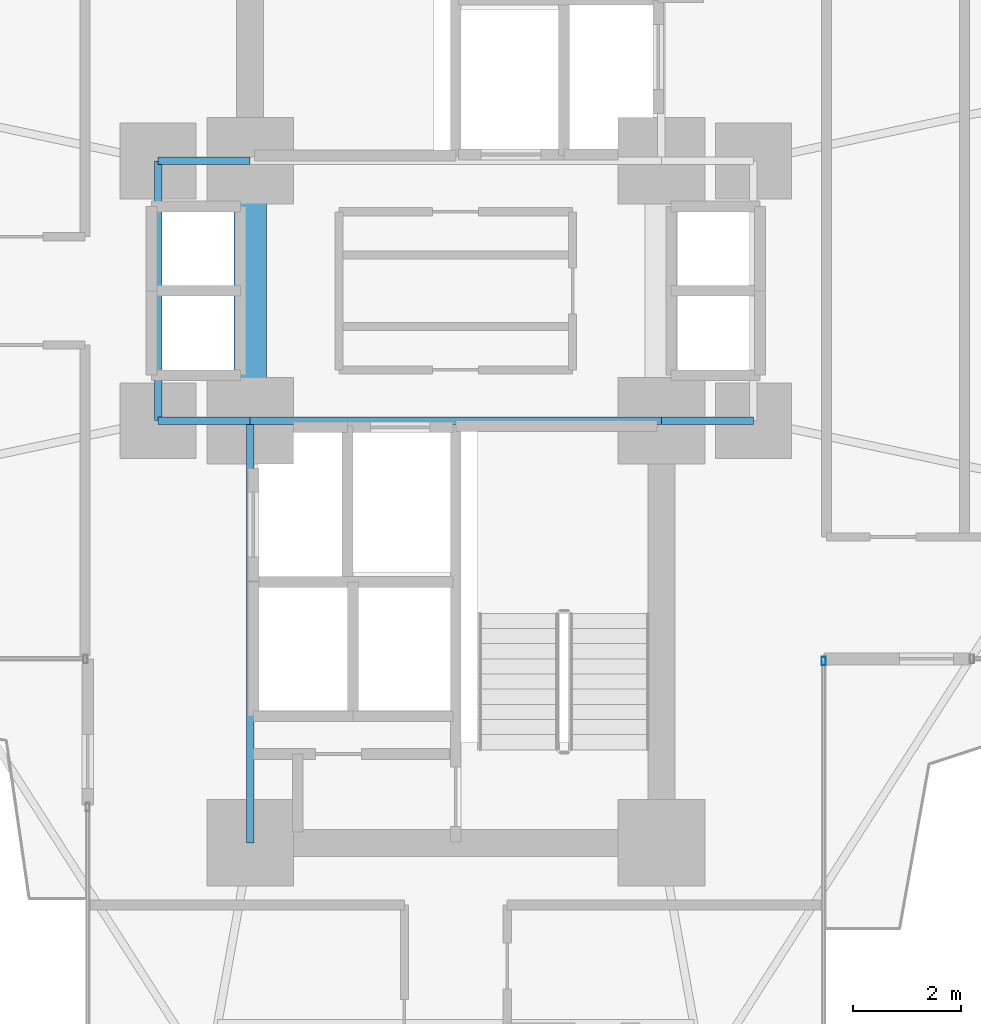
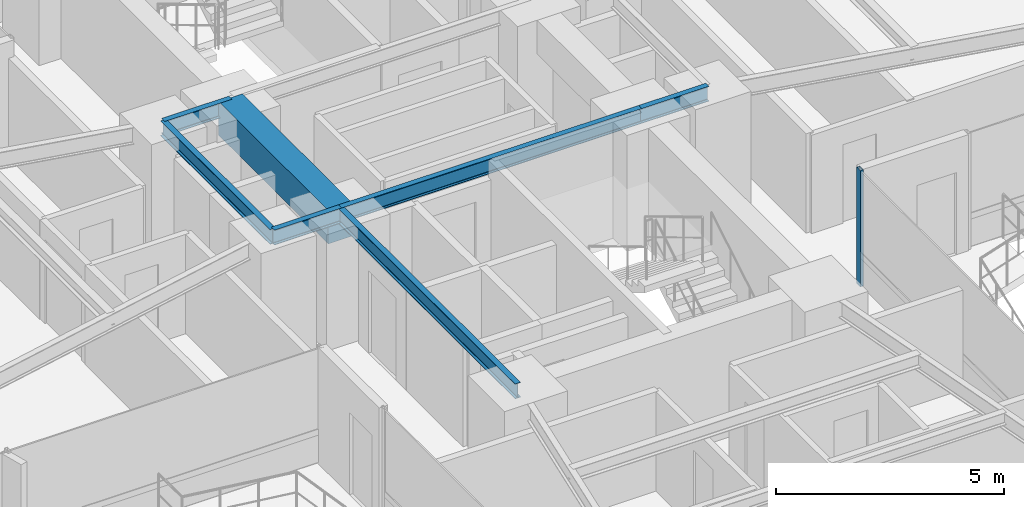
# One storey, part 11 of 25: 7 beams, 1 member, 1 element without a shape of its own.
"""IFC4 building model written with IfcOpenShell, lengths in metres."""

from ifc_helpers import new_model, si_unit, direction, frame, origin, origin_2d, place, context, subcontext, project, spatial, rectangle, hollow_rectangle, i_section, extrude, source, transform, mapped, material, material_profile, profile_set, type_object, element, aggregate, save


model = new_model("IFC4")

# Units and contexts
model_context = context("Model", 3, precision=1e-05, world=origin(), true_north=direction((0.0, 1.0)))
body_context = subcontext(model_context, "Body", "Model", "MODEL_VIEW")
ifc_project = project(units=[si_unit("LENGTHUNIT", "METRE"), si_unit("AREAUNIT", "SQUARE_METRE"), si_unit("VOLUMEUNIT", "CUBIC_METRE"), si_unit("PLANEANGLEUNIT", "RADIAN"), si_unit("MASSUNIT", "GRAM", prefix="KILO")], contexts=[model_context])

# Site, building, storey
site_placement = place(None, origin())
site = spatial("IfcSite", under=ifc_project, at=site_placement, CompositionType="ELEMENT")
building_placement = place(site_placement, origin())
building = spatial("IfcBuilding", under=site, at=building_placement, Name="Sahyath Konkavel Grand Hotel", CompositionType="ELEMENT")
storey_placement = place(building_placement, frame((0.0, 0.0, 64.449951171875)))
storey = spatial("IfcBuildingStorey", under=building, at=storey_placement, Name="L17", CompositionType="ELEMENT", Elevation=64.449951171875)

# Beams
ifc_material_1 = material(Name="Concrete C70/85", Category="concrete")
ifc_material_profile_1 = material_profile(ifc_material_1, rectangle(XDim=0.60009765625, YDim=0.89990234375, at=origin_2d()), Name="RC 600x900")
ifc_profile_set_1 = profile_set([ifc_material_profile_1], Name="Concrete C70/85")
beam_type_1 = type_object("IfcBeamType", Name="BM-CB600x900", PredefinedType="LINTEL", material=ifc_profile_set_1)
shared_shape_1 = source(origin(), body_context, "Body", "SweptSolid", [
    extrude(rectangle(XDim=0.60009765625, YDim=0.89990234375, at=origin_2d()), origin(), (0.0, 0.0, 1.0), 4.7998046875),
])
beam_1_placement = place(storey_placement, frame((-3.800048828125, -2.39990234375, 2.66015625), z_axis=(0.0, 1.0, 0.0), x_axis=(-1.0, 0.0, 0.0)))
element("IfcBeam", 1, at=beam_1_placement, inside=storey, type_object=beam_type_1, Name="L17 Split-Core Coupling Beam West", PredefinedType="LINTEL", context=body_context, shape_type="MappedRepresentation", body=[
    mapped(shared_shape_1, transform((0.0, 0.0, 0.0), scale=1.0)),
])
ifc_material_2 = material(Name="Steel E350", Category="steel")
ifc_material_profile_2 = material_profile(ifc_material_2, i_section(OverallWidth=0.139892578125, OverallDepth=0.39990234375, WebThickness=0.0087890625, FlangeThickness=0.01611328125, FilletRadius=0.013916015625, at=origin_2d()), Name="ISMB 400")
ifc_profile_set_2 = profile_set([ifc_material_profile_2], Name="Steel E350")
beam_type_2 = type_object("IfcBeamType", Name="BM-ISMB400", PredefinedType="BEAM", material=ifc_profile_set_2)
shared_shape_2 = source(origin(), body_context, "Body", "SweptSolid", [
    extrude(i_section(OverallWidth=0.139892578125, OverallDepth=0.39990234375, WebThickness=0.0087890625, FlangeThickness=0.01611328125, FilletRadius=0.013916015625, at=origin_2d()), origin(), (0.0, 0.0, 1.0), 7.60009765625),
])
beam_2_placement = place(storey_placement, frame((-3.800048828125, -2.39990234375, 2.91015625), z_axis=(1.0, 0.0, 0.0), x_axis=(0.0, 1.0, 0.0)))
element("IfcBeam", 2, at=beam_2_placement, inside=storey, type_object=beam_type_2, Name="str:bm:L17:SC-N", PredefinedType="BEAM", context=body_context, shape_type="MappedRepresentation", body=[
    mapped(shared_shape_2, transform((0.0, 0.0, 0.0), scale=1.0)),
])
shared_shape_3 = source(origin(), body_context, "Body", "SweptSolid", [
    extrude(i_section(OverallWidth=0.139892578125, OverallDepth=0.39990234375, WebThickness=0.0087890625, FlangeThickness=0.01611328125, FilletRadius=0.013916015625, at=origin_2d()), origin(), (0.0, 0.0, 1.0), 7.800048828125),
])
beam_3_placement = place(storey_placement, frame((-3.800048828125, -10.199951171875, 2.91015625), z_axis=(0.0, 1.0, 0.0), x_axis=(-1.0, 0.0, 0.0)))
element("IfcBeam", 3, at=beam_3_placement, inside=storey, type_object=beam_type_2, Name="str:bm:L17:SC-W", PredefinedType="BEAM", context=body_context, shape_type="MappedRepresentation", body=[
    mapped(shared_shape_3, transform((0.0, 0.0, 0.0), scale=1.0)),
])
shared_shape_4 = source(origin(), body_context, "Body", "SweptSolid", [
    extrude(i_section(OverallWidth=0.139892578125, OverallDepth=0.39990234375, WebThickness=0.0087890625, FlangeThickness=0.01611328125, FilletRadius=0.013916015625, at=origin_2d()), origin(), (0.0, 0.0, 1.0), 1.699951171875),
])
for number, where, z_axis, x_axis, name in (
    (4, (-5.5, 2.39990234375, 2.91015625), (1.0, 0.0, 0.0), (0.0, 1.0, 0.0), "str:bm:L17:HB-NW"),
    (5, (-5.5, -2.39990234375, 2.91015625), (1.0, 0.0, 0.0), (0.0, 1.0, 0.0), "str:bm:L17:HB-SW"),
    (6, (3.800048828125, -2.39990234375, 2.91015625), (1.0, 0.0, 0.0), (0.0, 1.0, 0.0), "str:bm:L17:HB-SE"),
):
    element("IfcBeam", number, at=place(storey_placement, frame(where, z_axis=z_axis, x_axis=x_axis)), inside=storey, type_object=beam_type_2, Name=name, PredefinedType="BEAM", context=body_context, shape_type="MappedRepresentation", body=[
        mapped(shared_shape_4, transform((0.0, 0.0, 0.0), scale=1.0)),
    ])
shared_shape_5 = source(origin(), body_context, "Body", "SweptSolid", [
    extrude(i_section(OverallWidth=0.139892578125, OverallDepth=0.39990234375, WebThickness=0.0087890625, FlangeThickness=0.01611328125, FilletRadius=0.013916015625, at=origin_2d()), origin(), (0.0, 0.0, 1.0), 4.7998046875),
])
beam_4_placement = place(storey_placement, frame((-5.5, -2.39990234375, 2.91015625), z_axis=(0.0, 1.0, 0.0), x_axis=(-1.0, 0.0, 0.0)))
element("IfcBeam", 7, at=beam_4_placement, inside=storey, type_object=beam_type_2, Name="str:bm:L17:HB-W", PredefinedType="BEAM", context=body_context, shape_type="MappedRepresentation", body=[
    mapped(shared_shape_5, transform((0.0, 0.0, 0.0), scale=1.0)),
])

# Curtain wall, member
ifc_material_3 = material(Name="Anodised Bronze Aluminium & Low-E Glazing", Category="aluminium")
curtain_wall_type = type_object("IfcCurtainWallType", Name="CW-ZONE1", PredefinedType="NOTDEFINED", material=ifc_material_3)
curtain_wall_placement = place(storey_placement, origin())
curtain_wall = element("IfcCurtainWall", 8, at=curtain_wall_placement, inside=storey, type_object=curtain_wall_type, Name="L17 Unitised Curtain Wall F31", PredefinedType="NOTDEFINED")
ifc_material_4 = material(Name="Anodised Bronze Aluminium", Category="aluminium")
ifc_material_profile_3 = material_profile(ifc_material_4, hollow_rectangle(XDim=0.080078125, YDim=0.159912109375, WallThickness=0.006103515625, at=origin_2d()), Name="RHS 160x80x6")
ifc_profile_set_3 = profile_set([ifc_material_profile_3], Name="Anodised Bronze Aluminium")
member_type = type_object("IfcMemberType", Name="CW-MUL-160", PredefinedType="MULLION", material=ifc_profile_set_3)
shared_shape_6 = source(origin(), body_context, "Body", "SweptSolid", [
    extrude(hollow_rectangle(XDim=0.080078125, YDim=0.159912109375, WallThickness=0.006103515625, at=origin_2d()), origin(), (0.0, 0.0, 1.0), 3.110107421875),
])
member_placement = place(storey_placement, frame((6.800048828125, -6.840087890625, 0.0), z_axis=(0.0, 0.0, 1.0), x_axis=(1.0, 0.0, 0.0)))
member = element("IfcMember", 9, at=member_placement, type_object=member_type, Name="L17 Curtain Wall Mullion F31-2", PredefinedType="MULLION", context=body_context, shape_type="MappedRepresentation", body=[
    mapped(shared_shape_6, transform((0.0, 0.0, 0.0), scale=1.0)),
])
aggregate(curtain_wall, [member])

save(model, "model.ifc")
